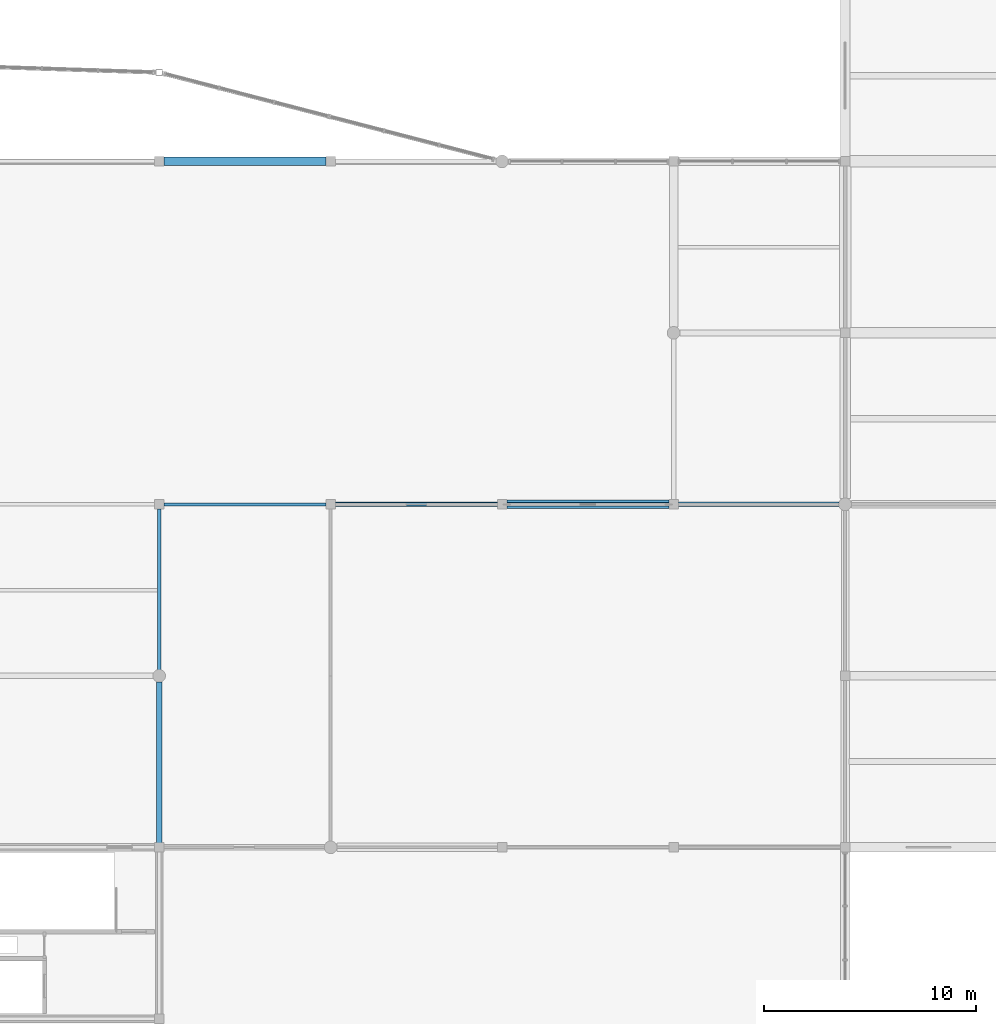
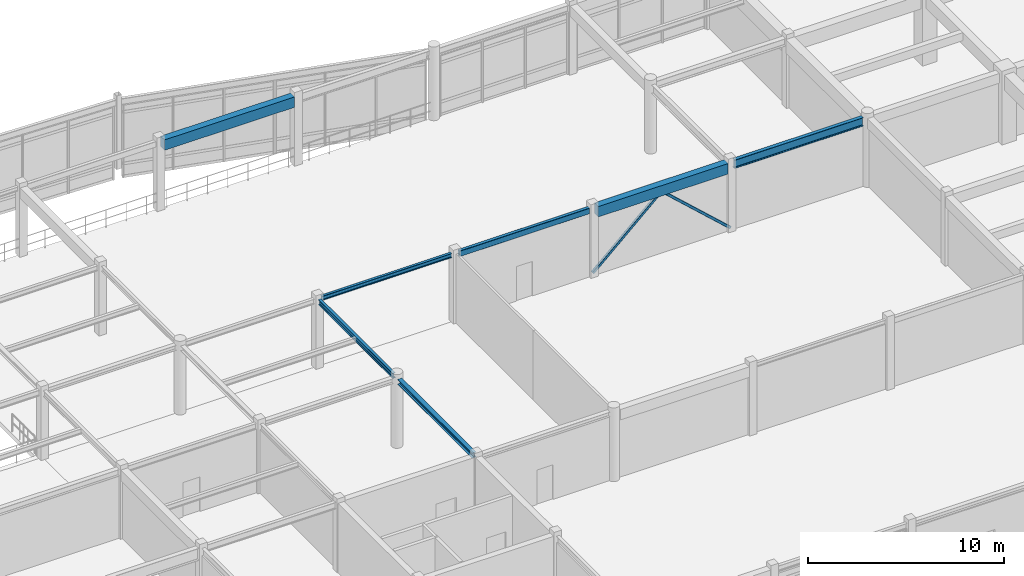
# One storey, part 25 of 93: 7 beams, 2 members.
"""IFC4 building model written with IfcOpenShell, lengths in metres."""

from ifc_helpers import new_model, si_unit, direction, frame, origin, origin_2d, place, context, subcontext, project, spatial, rectangle, hollow_rectangle, i_section, extrude, material, material_profile, profile_set, type_object, element, save


model = new_model("IFC4")

# Units and contexts
model_context = context("Model", 3, precision=1e-05, world=origin(), true_north=direction((0.0, 1.0)))
body_context = subcontext(model_context, "Body", "Model", "MODEL_VIEW")
ifc_project = project(units=[si_unit("LENGTHUNIT", "METRE"), si_unit("AREAUNIT", "SQUARE_METRE"), si_unit("VOLUMEUNIT", "CUBIC_METRE"), si_unit("PLANEANGLEUNIT", "RADIAN"), si_unit("MASSUNIT", "GRAM", prefix="KILO")], contexts=[model_context])

# Site, building, storey
site_placement = place(None, origin())
site = spatial("IfcSite", under=ifc_project, at=site_placement, CompositionType="ELEMENT")
building_placement = place(site_placement, origin())
building = spatial("IfcBuilding", under=site, at=building_placement, Name="Vaudrelin Polytechnic", CompositionType="ELEMENT")
storey_placement = place(building_placement, frame((0.0, 0.0, 5.10009765625)))
storey = spatial("IfcBuildingStorey", under=building, at=storey_placement, Name="L01", CompositionType="ELEMENT", Elevation=5.10009765625)

# Beams
ifc_material_1 = material(Name="Steel CSA G40.21 350W", Category="steel")
ifc_material_profile_1 = material_profile(ifc_material_1, i_section(OverallWidth=0.208984375, OverallDepth=0.532958984375, WebThickness=0.01025390625, FlangeThickness=0.015625, FilletRadius=0.01904296875, at=origin_2d()), Name="W530x92")
ifc_profile_set_1 = profile_set([ifc_material_profile_1], Name="Steel CSA G40.21 350W")
beam_type_1 = type_object("IfcBeamType", Name="BM-BM-W530", PredefinedType="BEAM", material=ifc_profile_set_1)
beam_1_placement = place(storey_placement, frame((121.720947265625, 32.39990234375, 4.04345703125), z_axis=(1.0, 0.0, 0.0), x_axis=(0.0, 1.0, 0.0)))
element("IfcBeam", 1, at=beam_1_placement, inside=storey, type_object=beam_type_1, Name="L01 X-beam 16-5", PredefinedType="BEAM", context=body_context, shape_type="SweptSolid", body=[
    extrude(i_section(OverallWidth=0.208984375, OverallDepth=0.532958984375, WebThickness=0.01025390625, FlangeThickness=0.015625, FilletRadius=0.01904296875, at=origin_2d()), origin(), (0.0, 0.0, 1.0), 7.5830078125),
])
ifc_material_profile_2 = material_profile(ifc_material_1, i_section(OverallWidth=0.14794921875, OverallDepth=0.26611328125, WebThickness=0.007568359375, FlangeThickness=0.012939453125, FilletRadius=0.012939453125, at=origin_2d()), Name="W250x45")
ifc_profile_set_2 = profile_set([ifc_material_profile_2], Name="Steel CSA G40.21 350W")
beam_type_2 = type_object("IfcBeamType", Name="BM-JS-W250", PredefinedType="JOIST", material=ifc_profile_set_2)
beam_2_placement = place(storey_placement, frame((97.4208984375, 32.39990234375, 4.177001953125), z_axis=(1.0, 0.0, 0.0), x_axis=(0.0, 1.0, 0.0)))
element("IfcBeam", 2, at=beam_2_placement, inside=storey, type_object=beam_type_2, Name="L01 X-beam 13-5", PredefinedType="JOIST", context=body_context, shape_type="SweptSolid", body=[
    extrude(i_section(OverallWidth=0.14794921875, OverallDepth=0.26611328125, WebThickness=0.007568359375, FlangeThickness=0.012939453125, FilletRadius=0.012939453125, at=origin_2d()), origin(), (0.0, 0.0, 1.0), 7.658203125),
])
ifc_material_profile_3 = material_profile(ifc_material_1, i_section(OverallWidth=0.1669921875, OverallDepth=0.31689453125, WebThickness=0.007568359375, FlangeThickness=0.01318359375, FilletRadius=0.013916015625, at=origin_2d()), Name="W310x52")
ifc_profile_set_3 = profile_set([ifc_material_profile_3], Name="Steel CSA G40.21 350W")
beam_type_3 = type_object("IfcBeamType", Name="BM-JS-W310", PredefinedType="JOIST", material=ifc_profile_set_3)
beam_3_placement = place(storey_placement, frame((97.199951171875, 24.5849609375, 4.1513671875), z_axis=(0.0, 1.0, 0.0), x_axis=(-1.0, 0.0, 0.0)))
element("IfcBeam", 3, at=beam_3_placement, inside=storey, type_object=beam_type_3, Name="L01 Y-beam 13-4", PredefinedType="JOIST", context=body_context, shape_type="SweptSolid", body=[
    extrude(i_section(OverallWidth=0.1669921875, OverallDepth=0.31689453125, WebThickness=0.007568359375, FlangeThickness=0.01318359375, FilletRadius=0.013916015625, at=origin_2d()), origin(), (0.0, 0.0, 1.0), 7.60498046875),
])
ifc_material_2 = material(Name="Steel CSA G40.21 350WT", Category="steel")
ifc_material_profile_4 = material_profile(ifc_material_2, i_section(OverallWidth=0.25390625, OverallDepth=0.305908203125, WebThickness=0.0087890625, FlangeThickness=0.0146484375, FilletRadius=0.01611328125, at=origin_2d()), Name="W310x79")
ifc_profile_set_4 = profile_set([ifc_material_profile_4], Name="Steel CSA G40.21 350WT")
beam_type_4 = type_object("IfcBeamType", Name="BM-JS-W310H", PredefinedType="SPANDREL", material=ifc_profile_set_4)
beam_4_placement = place(storey_placement, frame((97.199951171875, 16.409912109375, 4.156982421875), z_axis=(0.0, 1.0, 0.0), x_axis=(-1.0, 0.0, 0.0)))
element("IfcBeam", 4, at=beam_4_placement, inside=storey, type_object=beam_type_4, Name="L01 Y-beam 13-3", PredefinedType="SPANDREL", context=body_context, shape_type="SweptSolid", body=[
    extrude(i_section(OverallWidth=0.25390625, OverallDepth=0.305908203125, WebThickness=0.0087890625, FlangeThickness=0.0146484375, FilletRadius=0.01611328125, at=origin_2d()), origin(), (0.0, 0.0, 1.0), 7.60498046875),
])
ifc_material_profile_5 = material_profile(ifc_material_2, hollow_rectangle(XDim=0.202880859375, YDim=0.35595703125, WallThickness=0.0126953125, InnerFilletRadius=0.0126953125, OuterFilletRadius=0.025390625, at=origin_2d()), Name="HSS356x203x12.7")
ifc_profile_set_5 = profile_set([ifc_material_profile_5], Name="Steel CSA G40.21 350WT")
beam_type_5 = type_object("IfcBeamType", Name="BM-SP-HSS35", PredefinedType="SPANDREL", material=ifc_profile_set_5)
beam_5_placement = place(storey_placement, frame((105.52099609375, 32.39990234375, 4.1318359375), z_axis=(1.0, 0.0, 0.0), x_axis=(0.0, 1.0, 0.0)))
element("IfcBeam", 5, at=beam_5_placement, inside=storey, type_object=beam_type_5, Name="L01 X-beam 14-5", PredefinedType="SPANDREL", context=body_context, shape_type="SweptSolid", body=[
    extrude(hollow_rectangle(XDim=0.202880859375, YDim=0.35595703125, WallThickness=0.0126953125, InnerFilletRadius=0.0126953125, OuterFilletRadius=0.025390625, at=origin_2d()), origin(), (0.0, 0.0, 1.0), 7.657958984375),
])
ifc_material_3 = material(Name="Concrete 40 MPa", Category="concrete")
ifc_material_profile_6 = material_profile(ifc_material_3, rectangle(XDim=0.39990234375, YDim=0.64990234375, at=origin_2d()), Name="RC400x650")
ifc_profile_set_6 = profile_set([ifc_material_profile_6], Name="Concrete 40 MPa")
beam_type_6 = type_object("IfcBeamType", Name="BM-SP-RC4065", PredefinedType="SPANDREL", material=ifc_profile_set_6)
beam_6_placement = place(storey_placement, frame((97.4208984375, 48.60009765625, 3.98486328125), z_axis=(1.0, 0.0, 0.0), x_axis=(0.0, 1.0, 0.0)))
element("IfcBeam", 6, at=beam_6_placement, inside=storey, type_object=beam_type_6, Name="L01 X-beam 13-7", PredefinedType="SPANDREL", context=body_context, shape_type="SweptSolid", body=[
    extrude(rectangle(XDim=0.39990234375, YDim=0.64990234375, at=origin_2d()), origin(), (0.0, 0.0, 1.0), 7.658203125),
])
beam_7_placement = place(storey_placement, frame((113.62109375, 32.39990234375, 3.98486328125), z_axis=(1.0, 0.0, 0.0), x_axis=(0.0, 1.0, 0.0)))
element("IfcBeam", 7, at=beam_7_placement, inside=storey, type_object=beam_type_6, Name="L01 X-beam 15-5", PredefinedType="SPANDREL", context=body_context, shape_type="SweptSolid", body=[
    extrude(rectangle(XDim=0.39990234375, YDim=0.64990234375, at=origin_2d()), origin(), (0.0, 0.0, 1.0), 7.657958984375),
])

# Members
ifc_material_profile_7 = material_profile(ifc_material_1, hollow_rectangle(XDim=0.152099609375, YDim=0.152099609375, WallThickness=0.008056640625, InnerFilletRadius=0.008056640625, OuterFilletRadius=0.01611328125, at=origin_2d()), Name="HSS152x152x8.0")
ifc_profile_set_7 = profile_set([ifc_material_profile_7], Name="Steel CSA G40.21 350W")
member_type = type_object("IfcMemberType", Name="MEM-BF-D01", PredefinedType="BRACE", material=ifc_profile_set_7)
for number, where, z_axis, x_axis, name in (
    (8, (113.39990234375, 32.39990234375, 0.14990234375), (0.739205703699, 0.0, 0.673479715818), (0.0, 1.0, 0.0), "Chevron brace BF-08A"),
    (9, (121.5, 32.39990234375, 0.14990234375), (-0.739205703699, 0.0, 0.673479715818), (0.0, -1.0, 0.0), "Chevron brace BF-08B"),
):
    element("IfcMember", number, at=place(storey_placement, frame(where, z_axis=z_axis, x_axis=x_axis)), inside=storey, type_object=member_type, Name=name, PredefinedType="BRACE", context=body_context, shape_type="SweptSolid", body=[
        extrude(hollow_rectangle(XDim=0.152099609375, YDim=0.152099609375, WallThickness=0.008056640625, InnerFilletRadius=0.008056640625, OuterFilletRadius=0.01611328125, at=origin_2d()), origin(), (0.0, 0.0, 1.0), 5.47900390625),
    ])

save(model, "model.ifc")
